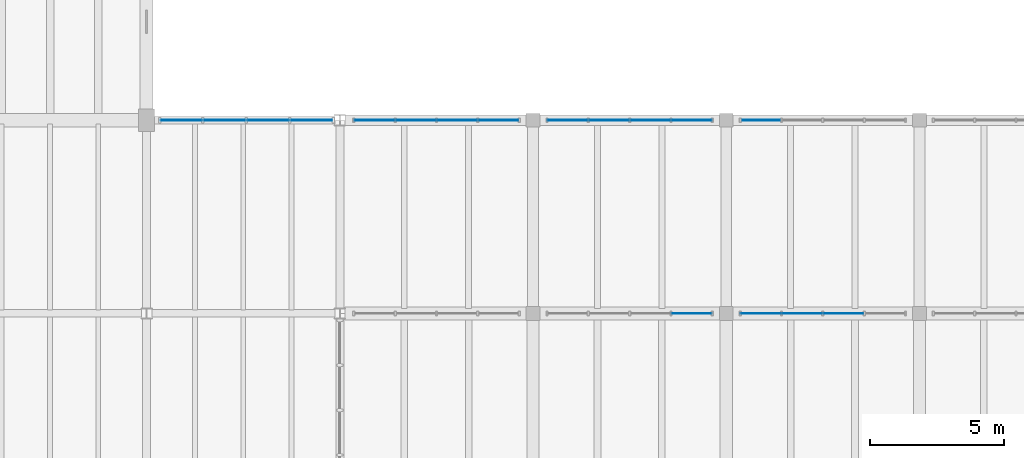
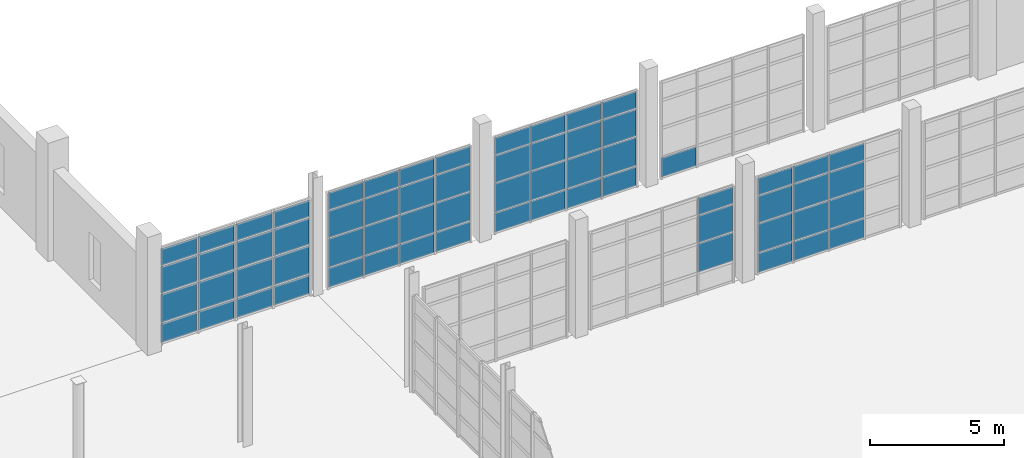
# One storey, part 57 of 79: 64 plates, 6 elements without a shape of their own.
"""IFC4 building model written with IfcOpenShell, lengths in metres."""

import ifcopenshell
import ifcopenshell.guid

model = None  # the IFC model being written
_history = None  # IfcOwnerHistory: only IFC2X3 demands one
_inside = {}  # id of a spatial element -> (the spatial element, [elements in it])
_under = {}  # id of a project, library or spatial element -> (it, [spatial elements below it])
_declared = {}  # id of a project -> (the project, [libraries it declares])
_typed = {}  # id of a type object -> (the type object, [elements of that type])
_made_of = {}  # id of a material, layer set ... -> (it, [elements and type objects made of it])


def new_model(schema):
    """Start an empty IFC model of exactly this schema.

    Asked for "IFC4X3", IfcOpenShell would pick the latest addendum, in which some entities
    have other attributes; the version numbers below select the first issue.
    IFC2X3 requires an IfcOwnerHistory on every rooted entity: one is made here for all.
    """
    global model, _history
    if schema == "IFC4X3":
        model = ifcopenshell.file(schema_version=(4, 3, 0, 0))
    else:
        model = ifcopenshell.file(schema=schema)
    _inside.clear()
    _under.clear()
    _declared.clear()
    _typed.clear()
    _made_of.clear()
    _history = None
    if model.schema == "IFC2X3":
        org = make("IfcOrganization", Name="unknown")
        user = make(
            "IfcPersonAndOrganization",
            ThePerson=make("IfcPerson", FamilyName="unknown"),
            TheOrganization=org,
        )
        app = make(
            "IfcApplication",
            ApplicationDeveloper=org,
            Version="unknown",
            ApplicationFullName="unknown",
            ApplicationIdentifier="unknown",
        )
        _history = make(
            "IfcOwnerHistory",
            OwningUser=user,
            OwningApplication=app,
            ChangeAction="ADDED",
            CreationDate=0,
        )
    return model


def make(cls, **values):
    """One entity of the class cls with the attributes given. An attribute that is None is left unset."""
    return model.create_entity(
        cls, **{name: value for name, value in values.items() if value is not None}
    )


def rooted(cls, **values):
    """An entity with a GlobalId (a new one), such as an element, a storey or a relation."""
    return make(cls, GlobalId=ifcopenshell.guid.new(), OwnerHistory=_history, **values)


def si_unit(unit_type, name, prefix=None):
    """IfcSIUnit, for example si_unit("LENGTHUNIT", "METRE", prefix="MILLI")."""
    return make("IfcSIUnit", UnitType=unit_type, Prefix=prefix, Name=name)


def assignment(units):
    """IfcUnitAssignment: the units of a project."""
    return None if units is None else make("IfcUnitAssignment", Units=units)


def point(xyz):
    """IfcCartesianPoint."""
    return None if xyz is None else make("IfcCartesianPoint", Coordinates=xyz)


def direction(xyz):
    """IfcDirection."""
    return None if xyz is None else make("IfcDirection", DirectionRatios=xyz)


def frame(location, z_axis=None, x_axis=None):
    """IfcAxis2Placement3D, a coordinate frame: its origin and axes. An axis left out is left unset."""
    return make(
        "IfcAxis2Placement3D",
        Location=point(location),
        Axis=direction(z_axis),
        RefDirection=direction(x_axis),
    )


def frame_2d(location, x_axis=None):
    """IfcAxis2Placement2D, a coordinate frame in the plane: its origin and x axis."""
    return make(
        "IfcAxis2Placement2D", Location=point(location), RefDirection=direction(x_axis)
    )


def origin():
    """The frame at (0, 0, 0) with its axes left unset."""
    return frame((0.0, 0.0, 0.0))


def place(relative_to, where):
    """IfcLocalPlacement: puts the frame where relative to a parent placement (None: the world)."""
    return make(
        "IfcLocalPlacement", PlacementRelTo=relative_to, RelativePlacement=where
    )


def context(
    kind, dimensions, precision=None, world=None, true_north=None, identifier=None
):
    """IfcGeometricRepresentationContext, for example the 3D "Model" context."""
    return make(
        "IfcGeometricRepresentationContext",
        ContextIdentifier=identifier,
        ContextType=kind,
        CoordinateSpaceDimension=dimensions,
        Precision=precision,
        WorldCoordinateSystem=world,
        TrueNorth=true_north,
    )


def subcontext(parent, identifier, kind, view, scale=None):
    """IfcGeometricRepresentationSubContext, for example "Body" below "Model"."""
    return make(
        "IfcGeometricRepresentationSubContext",
        ContextIdentifier=identifier,
        ContextType=kind,
        ParentContext=parent,
        TargetScale=scale,
        TargetView=view,
    )


def project(units=None, contexts=None):
    """IfcProject with its units and contexts."""
    return rooted(
        "IfcProject",
        Name="project",
        RepresentationContexts=contexts,
        UnitsInContext=assignment(units),
    )


def spatial(cls, under=None, at=None, **own):
    """A site, building, storey or space (cls), placed at a placement, below another one or the project."""
    s = rooted(cls, ObjectPlacement=at, **own)
    if under is not None:
        _under.setdefault(under.id(), (under, []))[1].append(s)
    return s


def profile(cls, at=None, kind="AREA", **sizes):
    """A parametric profile (cls). Its sizes go by their IFC names, for example OverallWidth=200.0."""
    return make(cls, ProfileType=kind, Position=at, **sizes)


def rectangle(**sizes):
    """IfcRectangleProfileDef."""
    return profile("IfcRectangleProfileDef", **sizes)


def extrude(swept, where, along, depth):
    """IfcExtrudedAreaSolid: the profile swept, set in the frame where, extruded along a direction by depth."""
    return make(
        "IfcExtrudedAreaSolid",
        SweptArea=swept,
        Position=where,
        ExtrudedDirection=direction(along),
        Depth=depth,
    )


def shape(context_of_items, identifier, shape_type, items):
    """IfcShapeRepresentation: the items that make up one representation, for example the "Body"."""
    return make(
        "IfcShapeRepresentation",
        ContextOfItems=context_of_items,
        RepresentationIdentifier=identifier,
        RepresentationType=shape_type,
        Items=items,
    )


def material(Name=None, Category=None):
    """IfcMaterial."""
    return make("IfcMaterial", Name=Name, Category=Category)


def layer(
    of_material, thickness, ventilated=None, Name=None, Category=None, Priority=None
):
    """IfcMaterialLayer: one layer of a wall or slab, of a material (None: an air gap)."""
    return make(
        "IfcMaterialLayer",
        Material=of_material,
        LayerThickness=thickness,
        IsVentilated=ventilated,
        Name=Name,
        Category=Category,
        Priority=Priority,
    )


def layer_set(layers, Name=None):
    """IfcMaterialLayerSet."""
    return make("IfcMaterialLayerSet", MaterialLayers=layers, LayerSetName=Name)


def made_of(thing, what):
    """Note that an element or type object is made of a material, layer set ...; save() writes the relation."""
    if what is not None:
        _made_of.setdefault(what.id(), (what, []))[1].append(thing)
    return thing


def type_object(cls, material=None, **own):
    """A type object (cls), such as IfcWallType, which elements share."""
    return made_of(rooted(cls, **own), material)


def element(
    cls,
    number,
    at=None,
    inside=None,
    cuts=None,
    type_object=None,
    material=None,
    context=None,
    identifier="Body",
    shape_type=None,
    held_by="IfcProductDefinitionShape",
    body=None,
    shapes=None,
    **own,
):
    """One element of the class cls, such as IfcWall. Its Tag is "e" and its number.

    at: its placement. inside: the storey or other place that contains it. cuts: it is an
    opening in that element (IfcRelVoidsElement). A single representation is given by context,
    identifier, shape_type and body (its items); several are given by shapes. held_by: the class
    of the entity that holds the representations. save() writes the other relations.
    """
    e = rooted(cls, Tag="e%d" % number, ObjectPlacement=at, **own)
    if body is not None:
        shapes = [shape(context, identifier, shape_type, body)]
    if shapes is not None:
        e.Representation = make(held_by, Representations=shapes)
    if inside is not None:
        _inside.setdefault(inside.id(), (inside, []))[1].append(e)
    if cuts is not None:
        rooted(
            "IfcRelVoidsElement", RelatingBuildingElement=cuts, RelatedOpeningElement=e
        )
    if type_object is not None:
        _typed.setdefault(type_object.id(), (type_object, []))[1].append(e)
    return made_of(e, material)


def aggregate(whole, parts):
    """IfcRelAggregates: a whole, such as a stair, and the parts it consists of."""
    return rooted("IfcRelAggregates", RelatingObject=whole, RelatedObjects=parts)


def save(model, path):
    """Write the relations noted so far, then the file.

    IfcRelAggregates (storeys below a building ...), IfcRelContainedInSpatialStructure (elements
    in a storey), IfcRelDefinesByType, IfcRelAssociatesMaterial and IfcRelDeclares: one each for
    every whole, place, type object, material and project.
    """
    for whole, parts in _under.values():
        aggregate(whole, parts)
    for where, things in _inside.values():
        rooted(
            "IfcRelContainedInSpatialStructure",
            RelatedElements=things,
            RelatingStructure=where,
        )
    for kind, things in _typed.values():
        rooted("IfcRelDefinesByType", RelatedObjects=things, RelatingType=kind)
    for what, things in _made_of.values():
        rooted("IfcRelAssociatesMaterial", RelatedObjects=things, RelatingMaterial=what)
    for by, libraries in _declared.values():
        rooted("IfcRelDeclares", RelatingContext=by, RelatedDefinitions=libraries)
    model.write(path)


model = new_model("IFC4")

# Units and contexts
model_context = context("Model", 3, precision=1e-05, world=origin(), true_north=direction((0.0, 1.0)))
body_context = subcontext(model_context, "Body", "Model", "MODEL_VIEW")
ifc_project = project(units=[si_unit("LENGTHUNIT", "METRE"), si_unit("AREAUNIT", "SQUARE_METRE"), si_unit("VOLUMEUNIT", "CUBIC_METRE"), si_unit("PLANEANGLEUNIT", "RADIAN"), si_unit("MASSUNIT", "GRAM", prefix="KILO")], contexts=[model_context])

# Site, building, storey
site_placement = place(None, origin())
site = spatial("IfcSite", under=ifc_project, at=site_placement, CompositionType="ELEMENT")
building_placement = place(site_placement, origin())
building = spatial("IfcBuilding", under=site, at=building_placement, Name="Qiaolan Assembly House", CompositionType="ELEMENT")
storey_placement = place(building_placement, origin())
storey = spatial("IfcBuildingStorey", under=building, at=storey_placement, Name="L00", CompositionType="ELEMENT", Elevation=0.0)

# Curtain wall, plates
ifc_material_1 = material(Name="Anodised bronze aluminium", Category="aluminium")
curtain_wall_type_1 = type_object("IfcCurtainWallType", Name="CW-CLOISTER-420", PredefinedType="NOTDEFINED", material=ifc_material_1)
curtain_wall_1_placement = place(storey_placement, origin())
curtain_wall_1 = element("IfcCurtainWall", 1, at=curtain_wall_1_placement, inside=storey, type_object=curtain_wall_type_1, Name="CW-05 North Cloister outer arcade L00-1", PredefinedType="NOTDEFINED")
ifc_material_2 = material(Name="Low-E double insulating glass", Category="glass")
ifc_layer_1 = layer(ifc_material_2, 0.02587890625)
ifc_layer_set_1 = layer_set([ifc_layer_1], Name="Low-E double insulating glass")
plate_type_1 = type_object("IfcPlateType", Name="CW-CLOISTER-420-PNL", PredefinedType="CURTAIN_PANEL", material=ifc_layer_set_1)
plate_1_placement = place(storey_placement, frame((114.653076171875, 86.39990234375, 0.052978515625), z_axis=(0.0, 0.0, 1.0), x_axis=(-1.0, 0.0, 0.0)))
plate_1 = element("IfcPlate", 2, at=plate_1_placement, type_object=plate_type_1, Name="GL-06 glazing panel CW-CLN-OUT-L00-0-1", PredefinedType="CURTAIN_PANEL", context=body_context, shape_type="SweptSolid", body=[
    extrude(rectangle(XDim=1.486083984375, YDim=0.02587890625, at=frame_2d((0.7431640625, 0.0))), origin(), (0.0, 0.0, 1.0), 0.8740234375),
])
plate_2_placement = place(storey_placement, frame((114.653076171875, 86.39990234375, 0.972900390625), z_axis=(0.0, 0.0, 1.0), x_axis=(-1.0, 0.0, 0.0)))
plate_2 = element("IfcPlate", 3, at=plate_2_placement, type_object=plate_type_1, Name="GL-06 glazing panel CW-CLN-OUT-L00-0-2", PredefinedType="CURTAIN_PANEL", context=body_context, shape_type="SweptSolid", body=[
    extrude(rectangle(XDim=1.486083984375, YDim=0.02587890625, at=frame_2d((0.7431640625, 0.0))), origin(), (0.0, 0.0, 1.0), 1.302490234375),
])
plate_3_placement = place(storey_placement, frame((114.653076171875, 86.39990234375, 2.3212890625), z_axis=(0.0, 0.0, 1.0), x_axis=(-1.0, 0.0, 0.0)))
plate_3 = element("IfcPlate", 4, at=plate_3_placement, type_object=plate_type_1, Name="GL-06 glazing panel CW-CLN-OUT-L00-0-3", PredefinedType="CURTAIN_PANEL", context=body_context, shape_type="SweptSolid", body=[
    extrude(rectangle(XDim=1.486083984375, YDim=0.02587890625, at=frame_2d((0.7431640625, 0.0))), origin(), (0.0, 0.0, 1.0), 1.225830078125),
])
plate_4_placement = place(storey_placement, frame((114.653076171875, 86.39990234375, 3.593017578125), z_axis=(0.0, 0.0, 1.0), x_axis=(-1.0, 0.0, 0.0)))
plate_4 = element("IfcPlate", 5, at=plate_4_placement, type_object=plate_type_1, Name="GL-06 glazing panel CW-CLN-OUT-L00-0-4", PredefinedType="CURTAIN_PANEL", context=body_context, shape_type="SweptSolid", body=[
    extrude(rectangle(XDim=1.486083984375, YDim=0.02587890625, at=frame_2d((0.7431640625, 0.0))), origin(), (0.0, 0.0, 1.0), 0.77392578125),
])
plate_5_placement = place(storey_placement, frame((113.113037109375, 86.39990234375, 0.052978515625), z_axis=(0.0, 0.0, 1.0), x_axis=(-1.0, 0.0, 0.0)))
plate_5 = element("IfcPlate", 6, at=plate_5_placement, type_object=plate_type_1, Name="GL-06 glazing panel CW-CLN-OUT-L00-0-5", PredefinedType="CURTAIN_PANEL", context=body_context, shape_type="SweptSolid", body=[
    extrude(rectangle(XDim=1.486083984375, YDim=0.02587890625, at=frame_2d((0.7431640625, 0.0))), origin(), (0.0, 0.0, 1.0), 0.8740234375),
])
plate_6_placement = place(storey_placement, frame((113.113037109375, 86.39990234375, 0.972900390625), z_axis=(0.0, 0.0, 1.0), x_axis=(-1.0, 0.0, 0.0)))
plate_6 = element("IfcPlate", 7, at=plate_6_placement, type_object=plate_type_1, Name="GL-06 glazing panel CW-CLN-OUT-L00-0-6", PredefinedType="CURTAIN_PANEL", context=body_context, shape_type="SweptSolid", body=[
    extrude(rectangle(XDim=1.486083984375, YDim=0.02587890625, at=frame_2d((0.7431640625, 0.0))), origin(), (0.0, 0.0, 1.0), 1.302490234375),
])
plate_7_placement = place(storey_placement, frame((113.113037109375, 86.39990234375, 2.3212890625), z_axis=(0.0, 0.0, 1.0), x_axis=(-1.0, 0.0, 0.0)))
plate_7 = element("IfcPlate", 8, at=plate_7_placement, type_object=plate_type_1, Name="GL-06 glazing panel CW-CLN-OUT-L00-0-7", PredefinedType="CURTAIN_PANEL", context=body_context, shape_type="SweptSolid", body=[
    extrude(rectangle(XDim=1.486083984375, YDim=0.02587890625, at=frame_2d((0.7431640625, 0.0))), origin(), (0.0, 0.0, 1.0), 1.225830078125),
])
plate_8_placement = place(storey_placement, frame((113.113037109375, 86.39990234375, 3.593017578125), z_axis=(0.0, 0.0, 1.0), x_axis=(-1.0, 0.0, 0.0)))
plate_8 = element("IfcPlate", 9, at=plate_8_placement, type_object=plate_type_1, Name="GL-06 glazing panel CW-CLN-OUT-L00-0-8", PredefinedType="CURTAIN_PANEL", context=body_context, shape_type="SweptSolid", body=[
    extrude(rectangle(XDim=1.486083984375, YDim=0.02587890625, at=frame_2d((0.7431640625, 0.0))), origin(), (0.0, 0.0, 1.0), 0.77392578125),
])
plate_9_placement = place(storey_placement, frame((111.572998046875, 86.39990234375, 0.052978515625), z_axis=(0.0, 0.0, 1.0), x_axis=(-1.0, 0.0, 0.0)))
plate_9 = element("IfcPlate", 10, at=plate_9_placement, type_object=plate_type_1, Name="GL-06 glazing panel CW-CLN-OUT-L00-0-9", PredefinedType="CURTAIN_PANEL", context=body_context, shape_type="SweptSolid", body=[
    extrude(rectangle(XDim=1.486083984375, YDim=0.02587890625, at=frame_2d((0.7431640625, 0.0))), origin(), (0.0, 0.0, 1.0), 0.8740234375),
])
plate_10_placement = place(storey_placement, frame((111.572998046875, 86.39990234375, 0.972900390625), z_axis=(0.0, 0.0, 1.0), x_axis=(-1.0, 0.0, 0.0)))
plate_10 = element("IfcPlate", 11, at=plate_10_placement, type_object=plate_type_1, Name="GL-06 glazing panel CW-CLN-OUT-L00-0-10", PredefinedType="CURTAIN_PANEL", context=body_context, shape_type="SweptSolid", body=[
    extrude(rectangle(XDim=1.486083984375, YDim=0.02587890625, at=frame_2d((0.7431640625, 0.0))), origin(), (0.0, 0.0, 1.0), 1.302490234375),
])
plate_11_placement = place(storey_placement, frame((111.572998046875, 86.39990234375, 2.3212890625), z_axis=(0.0, 0.0, 1.0), x_axis=(-1.0, 0.0, 0.0)))
plate_11 = element("IfcPlate", 12, at=plate_11_placement, type_object=plate_type_1, Name="GL-06 glazing panel CW-CLN-OUT-L00-0-11", PredefinedType="CURTAIN_PANEL", context=body_context, shape_type="SweptSolid", body=[
    extrude(rectangle(XDim=1.486083984375, YDim=0.02587890625, at=frame_2d((0.7431640625, 0.0))), origin(), (0.0, 0.0, 1.0), 1.225830078125),
])
plate_12_placement = place(storey_placement, frame((111.572998046875, 86.39990234375, 3.593017578125), z_axis=(0.0, 0.0, 1.0), x_axis=(-1.0, 0.0, 0.0)))
plate_12 = element("IfcPlate", 13, at=plate_12_placement, type_object=plate_type_1, Name="GL-06 glazing panel CW-CLN-OUT-L00-0-12", PredefinedType="CURTAIN_PANEL", context=body_context, shape_type="SweptSolid", body=[
    extrude(rectangle(XDim=1.486083984375, YDim=0.02587890625, at=frame_2d((0.7431640625, 0.0))), origin(), (0.0, 0.0, 1.0), 0.77392578125),
])
plate_13_placement = place(storey_placement, frame((110.032958984375, 86.39990234375, 0.052978515625), z_axis=(0.0, 0.0, 1.0), x_axis=(-1.0, 0.0, 0.0)))
plate_13 = element("IfcPlate", 14, at=plate_13_placement, type_object=plate_type_1, Name="GL-06 glazing panel CW-CLN-OUT-L00-0-13", PredefinedType="CURTAIN_PANEL", context=body_context, shape_type="SweptSolid", body=[
    extrude(rectangle(XDim=1.48583984375, YDim=0.02587890625, at=frame_2d((0.742919921875, 0.0))), origin(), (0.0, 0.0, 1.0), 0.8740234375),
])
plate_14_placement = place(storey_placement, frame((110.032958984375, 86.39990234375, 0.972900390625), z_axis=(0.0, 0.0, 1.0), x_axis=(-1.0, 0.0, 0.0)))
plate_14 = element("IfcPlate", 15, at=plate_14_placement, type_object=plate_type_1, Name="GL-06 glazing panel CW-CLN-OUT-L00-0-14", PredefinedType="CURTAIN_PANEL", context=body_context, shape_type="SweptSolid", body=[
    extrude(rectangle(XDim=1.48583984375, YDim=0.02587890625, at=frame_2d((0.742919921875, 0.0))), origin(), (0.0, 0.0, 1.0), 1.302490234375),
])
plate_15_placement = place(storey_placement, frame((110.032958984375, 86.39990234375, 2.3212890625), z_axis=(0.0, 0.0, 1.0), x_axis=(-1.0, 0.0, 0.0)))
plate_15 = element("IfcPlate", 16, at=plate_15_placement, type_object=plate_type_1, Name="GL-06 glazing panel CW-CLN-OUT-L00-0-15", PredefinedType="CURTAIN_PANEL", context=body_context, shape_type="SweptSolid", body=[
    extrude(rectangle(XDim=1.48583984375, YDim=0.02587890625, at=frame_2d((0.742919921875, 0.0))), origin(), (0.0, 0.0, 1.0), 1.225830078125),
])
plate_16_placement = place(storey_placement, frame((110.032958984375, 86.39990234375, 3.593017578125), z_axis=(0.0, 0.0, 1.0), x_axis=(-1.0, 0.0, 0.0)))
plate_16 = element("IfcPlate", 17, at=plate_16_placement, type_object=plate_type_1, Name="GL-06 glazing panel CW-CLN-OUT-L00-0-16", PredefinedType="CURTAIN_PANEL", context=body_context, shape_type="SweptSolid", body=[
    extrude(rectangle(XDim=1.48583984375, YDim=0.02587890625, at=frame_2d((0.742919921875, 0.0))), origin(), (0.0, 0.0, 1.0), 0.77392578125),
])
aggregate(curtain_wall_1, [plate_1, plate_2, plate_3, plate_4, plate_5, plate_6, plate_7, plate_8, plate_9, plate_10, plate_11, plate_12, plate_13, plate_14, plate_15, plate_16])

curtain_wall_2_placement = place(storey_placement, origin())
curtain_wall_2 = element("IfcCurtainWall", 18, at=curtain_wall_2_placement, inside=storey, type_object=curtain_wall_type_1, Name="CW-05 North Cloister court arcade L00-2", PredefinedType="NOTDEFINED")
plate_17_placement = place(storey_placement, frame((120.366943359375, 79.199951171875, 0.972900390625), z_axis=(0.0, 0.0, 1.0), x_axis=(1.0, 0.0, 0.0)))
plate_17 = element("IfcPlate", 19, at=plate_17_placement, type_object=plate_type_1, Name="GL-06 glazing panel CW-CLN-CRT-L00-1-14", PredefinedType="CURTAIN_PANEL", context=body_context, shape_type="SweptSolid", body=[
    extrude(rectangle(XDim=1.486083984375, YDim=0.02587890625, at=frame_2d((0.7431640625, 0.0))), origin(), (0.0, 0.0, 1.0), 1.302490234375),
])
plate_18_placement = place(storey_placement, frame((120.366943359375, 79.199951171875, 2.3212890625), z_axis=(0.0, 0.0, 1.0), x_axis=(1.0, 0.0, 0.0)))
plate_18 = element("IfcPlate", 20, at=plate_18_placement, type_object=plate_type_1, Name="GL-06 glazing panel CW-CLN-CRT-L00-1-15", PredefinedType="CURTAIN_PANEL", context=body_context, shape_type="SweptSolid", body=[
    extrude(rectangle(XDim=1.486083984375, YDim=0.02587890625, at=frame_2d((0.7431640625, 0.0))), origin(), (0.0, 0.0, 1.0), 1.225830078125),
])
plate_19_placement = place(storey_placement, frame((120.366943359375, 79.199951171875, 3.593017578125), z_axis=(0.0, 0.0, 1.0), x_axis=(1.0, 0.0, 0.0)))
plate_19 = element("IfcPlate", 21, at=plate_19_placement, type_object=plate_type_1, Name="GL-06 glazing panel CW-CLN-CRT-L00-1-16", PredefinedType="CURTAIN_PANEL", context=body_context, shape_type="SweptSolid", body=[
    extrude(rectangle(XDim=1.486083984375, YDim=0.02587890625, at=frame_2d((0.7431640625, 0.0))), origin(), (0.0, 0.0, 1.0), 0.77392578125),
])
aggregate(curtain_wall_2, [plate_17, plate_18, plate_19])

curtain_wall_3_placement = place(storey_placement, origin())
curtain_wall_3 = element("IfcCurtainWall", 22, at=curtain_wall_3_placement, inside=storey, type_object=curtain_wall_type_1, Name="CW-05 North Cloister outer arcade L00-2", PredefinedType="NOTDEFINED")
plate_20_placement = place(storey_placement, frame((121.85302734375, 86.39990234375, 0.052978515625), z_axis=(0.0, 0.0, 1.0), x_axis=(-1.0, 0.0, 0.0)))
plate_20 = element("IfcPlate", 23, at=plate_20_placement, type_object=plate_type_1, Name="GL-06 glazing panel CW-CLN-OUT-L00-1-1", PredefinedType="CURTAIN_PANEL", context=body_context, shape_type="SweptSolid", body=[
    extrude(rectangle(XDim=1.486083984375, YDim=0.02587890625, at=frame_2d((0.7431640625, 0.0))), origin(), (0.0, 0.0, 1.0), 0.8740234375),
])
plate_21_placement = place(storey_placement, frame((121.85302734375, 86.39990234375, 0.972900390625), z_axis=(0.0, 0.0, 1.0), x_axis=(-1.0, 0.0, 0.0)))
plate_21 = element("IfcPlate", 24, at=plate_21_placement, type_object=plate_type_1, Name="GL-06 glazing panel CW-CLN-OUT-L00-1-2", PredefinedType="CURTAIN_PANEL", context=body_context, shape_type="SweptSolid", body=[
    extrude(rectangle(XDim=1.486083984375, YDim=0.02587890625, at=frame_2d((0.7431640625, 0.0))), origin(), (0.0, 0.0, 1.0), 1.302490234375),
])
plate_22_placement = place(storey_placement, frame((121.85302734375, 86.39990234375, 2.3212890625), z_axis=(0.0, 0.0, 1.0), x_axis=(-1.0, 0.0, 0.0)))
plate_22 = element("IfcPlate", 25, at=plate_22_placement, type_object=plate_type_1, Name="GL-06 glazing panel CW-CLN-OUT-L00-1-3", PredefinedType="CURTAIN_PANEL", context=body_context, shape_type="SweptSolid", body=[
    extrude(rectangle(XDim=1.486083984375, YDim=0.02587890625, at=frame_2d((0.7431640625, 0.0))), origin(), (0.0, 0.0, 1.0), 1.225830078125),
])
plate_23_placement = place(storey_placement, frame((121.85302734375, 86.39990234375, 3.593017578125), z_axis=(0.0, 0.0, 1.0), x_axis=(-1.0, 0.0, 0.0)))
plate_23 = element("IfcPlate", 26, at=plate_23_placement, type_object=plate_type_1, Name="GL-06 glazing panel CW-CLN-OUT-L00-1-4", PredefinedType="CURTAIN_PANEL", context=body_context, shape_type="SweptSolid", body=[
    extrude(rectangle(XDim=1.486083984375, YDim=0.02587890625, at=frame_2d((0.7431640625, 0.0))), origin(), (0.0, 0.0, 1.0), 0.77392578125),
])
plate_24_placement = place(storey_placement, frame((120.31298828125, 86.39990234375, 0.052978515625), z_axis=(0.0, 0.0, 1.0), x_axis=(-1.0, 0.0, 0.0)))
plate_24 = element("IfcPlate", 27, at=plate_24_placement, type_object=plate_type_1, Name="GL-06 glazing panel CW-CLN-OUT-L00-1-5", PredefinedType="CURTAIN_PANEL", context=body_context, shape_type="SweptSolid", body=[
    extrude(rectangle(XDim=1.486083984375, YDim=0.02587890625, at=frame_2d((0.7431640625, 0.0))), origin(), (0.0, 0.0, 1.0), 0.8740234375),
])
plate_25_placement = place(storey_placement, frame((120.31298828125, 86.39990234375, 0.972900390625), z_axis=(0.0, 0.0, 1.0), x_axis=(-1.0, 0.0, 0.0)))
plate_25 = element("IfcPlate", 28, at=plate_25_placement, type_object=plate_type_1, Name="GL-06 glazing panel CW-CLN-OUT-L00-1-6", PredefinedType="CURTAIN_PANEL", context=body_context, shape_type="SweptSolid", body=[
    extrude(rectangle(XDim=1.486083984375, YDim=0.02587890625, at=frame_2d((0.7431640625, 0.0))), origin(), (0.0, 0.0, 1.0), 1.302490234375),
])
plate_26_placement = place(storey_placement, frame((120.31298828125, 86.39990234375, 2.3212890625), z_axis=(0.0, 0.0, 1.0), x_axis=(-1.0, 0.0, 0.0)))
plate_26 = element("IfcPlate", 29, at=plate_26_placement, type_object=plate_type_1, Name="GL-06 glazing panel CW-CLN-OUT-L00-1-7", PredefinedType="CURTAIN_PANEL", context=body_context, shape_type="SweptSolid", body=[
    extrude(rectangle(XDim=1.486083984375, YDim=0.02587890625, at=frame_2d((0.7431640625, 0.0))), origin(), (0.0, 0.0, 1.0), 1.225830078125),
])
plate_27_placement = place(storey_placement, frame((120.31298828125, 86.39990234375, 3.593017578125), z_axis=(0.0, 0.0, 1.0), x_axis=(-1.0, 0.0, 0.0)))
plate_27 = element("IfcPlate", 30, at=plate_27_placement, type_object=plate_type_1, Name="GL-06 glazing panel CW-CLN-OUT-L00-1-8", PredefinedType="CURTAIN_PANEL", context=body_context, shape_type="SweptSolid", body=[
    extrude(rectangle(XDim=1.486083984375, YDim=0.02587890625, at=frame_2d((0.7431640625, 0.0))), origin(), (0.0, 0.0, 1.0), 0.77392578125),
])
plate_28_placement = place(storey_placement, frame((118.77294921875, 86.39990234375, 0.052978515625), z_axis=(0.0, 0.0, 1.0), x_axis=(-1.0, 0.0, 0.0)))
plate_28 = element("IfcPlate", 31, at=plate_28_placement, type_object=plate_type_1, Name="GL-06 glazing panel CW-CLN-OUT-L00-1-9", PredefinedType="CURTAIN_PANEL", context=body_context, shape_type="SweptSolid", body=[
    extrude(rectangle(XDim=1.48583984375, YDim=0.02587890625, at=frame_2d((0.742919921875, 0.0))), origin(), (0.0, 0.0, 1.0), 0.8740234375),
])
plate_29_placement = place(storey_placement, frame((118.77294921875, 86.39990234375, 0.972900390625), z_axis=(0.0, 0.0, 1.0), x_axis=(-1.0, 0.0, 0.0)))
plate_29 = element("IfcPlate", 32, at=plate_29_placement, type_object=plate_type_1, Name="GL-06 glazing panel CW-CLN-OUT-L00-1-10", PredefinedType="CURTAIN_PANEL", context=body_context, shape_type="SweptSolid", body=[
    extrude(rectangle(XDim=1.48583984375, YDim=0.02587890625, at=frame_2d((0.742919921875, 0.0))), origin(), (0.0, 0.0, 1.0), 1.302490234375),
])
plate_30_placement = place(storey_placement, frame((118.77294921875, 86.39990234375, 2.3212890625), z_axis=(0.0, 0.0, 1.0), x_axis=(-1.0, 0.0, 0.0)))
plate_30 = element("IfcPlate", 33, at=plate_30_placement, type_object=plate_type_1, Name="GL-06 glazing panel CW-CLN-OUT-L00-1-11", PredefinedType="CURTAIN_PANEL", context=body_context, shape_type="SweptSolid", body=[
    extrude(rectangle(XDim=1.48583984375, YDim=0.02587890625, at=frame_2d((0.742919921875, 0.0))), origin(), (0.0, 0.0, 1.0), 1.225830078125),
])
plate_31_placement = place(storey_placement, frame((118.77294921875, 86.39990234375, 3.593017578125), z_axis=(0.0, 0.0, 1.0), x_axis=(-1.0, 0.0, 0.0)))
plate_31 = element("IfcPlate", 34, at=plate_31_placement, type_object=plate_type_1, Name="GL-06 glazing panel CW-CLN-OUT-L00-1-12", PredefinedType="CURTAIN_PANEL", context=body_context, shape_type="SweptSolid", body=[
    extrude(rectangle(XDim=1.48583984375, YDim=0.02587890625, at=frame_2d((0.742919921875, 0.0))), origin(), (0.0, 0.0, 1.0), 0.77392578125),
])
plate_32_placement = place(storey_placement, frame((117.23291015625, 86.39990234375, 0.052978515625), z_axis=(0.0, 0.0, 1.0), x_axis=(-1.0, 0.0, 0.0)))
plate_32 = element("IfcPlate", 35, at=plate_32_placement, type_object=plate_type_1, Name="GL-06 glazing panel CW-CLN-OUT-L00-1-13", PredefinedType="CURTAIN_PANEL", context=body_context, shape_type="SweptSolid", body=[
    extrude(rectangle(XDim=1.48583984375, YDim=0.02587890625, at=frame_2d((0.742919921875, 0.0))), origin(), (0.0, 0.0, 1.0), 0.8740234375),
])
plate_33_placement = place(storey_placement, frame((117.23291015625, 86.39990234375, 0.972900390625), z_axis=(0.0, 0.0, 1.0), x_axis=(-1.0, 0.0, 0.0)))
plate_33 = element("IfcPlate", 36, at=plate_33_placement, type_object=plate_type_1, Name="GL-06 glazing panel CW-CLN-OUT-L00-1-14", PredefinedType="CURTAIN_PANEL", context=body_context, shape_type="SweptSolid", body=[
    extrude(rectangle(XDim=1.48583984375, YDim=0.02587890625, at=frame_2d((0.742919921875, 0.0))), origin(), (0.0, 0.0, 1.0), 1.302490234375),
])
plate_34_placement = place(storey_placement, frame((117.23291015625, 86.39990234375, 2.3212890625), z_axis=(0.0, 0.0, 1.0), x_axis=(-1.0, 0.0, 0.0)))
plate_34 = element("IfcPlate", 37, at=plate_34_placement, type_object=plate_type_1, Name="GL-06 glazing panel CW-CLN-OUT-L00-1-15", PredefinedType="CURTAIN_PANEL", context=body_context, shape_type="SweptSolid", body=[
    extrude(rectangle(XDim=1.48583984375, YDim=0.02587890625, at=frame_2d((0.742919921875, 0.0))), origin(), (0.0, 0.0, 1.0), 1.225830078125),
])
plate_35_placement = place(storey_placement, frame((117.23291015625, 86.39990234375, 3.593017578125), z_axis=(0.0, 0.0, 1.0), x_axis=(-1.0, 0.0, 0.0)))
plate_35 = element("IfcPlate", 38, at=plate_35_placement, type_object=plate_type_1, Name="GL-06 glazing panel CW-CLN-OUT-L00-1-16", PredefinedType="CURTAIN_PANEL", context=body_context, shape_type="SweptSolid", body=[
    extrude(rectangle(XDim=1.48583984375, YDim=0.02587890625, at=frame_2d((0.742919921875, 0.0))), origin(), (0.0, 0.0, 1.0), 0.77392578125),
])
aggregate(curtain_wall_3, [plate_20, plate_21, plate_22, plate_23, plate_24, plate_25, plate_26, plate_27, plate_28, plate_29, plate_30, plate_31, plate_32, plate_33, plate_34, plate_35])

curtain_wall_4_placement = place(storey_placement, origin())
curtain_wall_4 = element("IfcCurtainWall", 39, at=curtain_wall_4_placement, inside=storey, type_object=curtain_wall_type_1, Name="CW-05 North Cloister court arcade L00-3", PredefinedType="NOTDEFINED")
plate_36_placement = place(storey_placement, frame((122.947021484375, 79.199951171875, 0.052978515625), z_axis=(0.0, 0.0, 1.0), x_axis=(1.0, 0.0, 0.0)))
plate_36 = element("IfcPlate", 40, at=plate_36_placement, type_object=plate_type_1, Name="GL-06 glazing panel CW-CLN-CRT-L00-2-1", PredefinedType="CURTAIN_PANEL", context=body_context, shape_type="SweptSolid", body=[
    extrude(rectangle(XDim=1.486083984375, YDim=0.02587890625, at=frame_2d((0.7431640625, 0.0))), origin(), (0.0, 0.0, 1.0), 0.8740234375),
])
plate_37_placement = place(storey_placement, frame((122.947021484375, 79.199951171875, 0.972900390625), z_axis=(0.0, 0.0, 1.0), x_axis=(1.0, 0.0, 0.0)))
plate_37 = element("IfcPlate", 41, at=plate_37_placement, type_object=plate_type_1, Name="GL-06 glazing panel CW-CLN-CRT-L00-2-2", PredefinedType="CURTAIN_PANEL", context=body_context, shape_type="SweptSolid", body=[
    extrude(rectangle(XDim=1.486083984375, YDim=0.02587890625, at=frame_2d((0.7431640625, 0.0))), origin(), (0.0, 0.0, 1.0), 1.302490234375),
])
plate_38_placement = place(storey_placement, frame((122.947021484375, 79.199951171875, 2.3212890625), z_axis=(0.0, 0.0, 1.0), x_axis=(1.0, 0.0, 0.0)))
plate_38 = element("IfcPlate", 42, at=plate_38_placement, type_object=plate_type_1, Name="GL-06 glazing panel CW-CLN-CRT-L00-2-3", PredefinedType="CURTAIN_PANEL", context=body_context, shape_type="SweptSolid", body=[
    extrude(rectangle(XDim=1.486083984375, YDim=0.02587890625, at=frame_2d((0.7431640625, 0.0))), origin(), (0.0, 0.0, 1.0), 1.225830078125),
])
plate_39_placement = place(storey_placement, frame((122.947021484375, 79.199951171875, 3.593017578125), z_axis=(0.0, 0.0, 1.0), x_axis=(1.0, 0.0, 0.0)))
plate_39 = element("IfcPlate", 43, at=plate_39_placement, type_object=plate_type_1, Name="GL-06 glazing panel CW-CLN-CRT-L00-2-4", PredefinedType="CURTAIN_PANEL", context=body_context, shape_type="SweptSolid", body=[
    extrude(rectangle(XDim=1.486083984375, YDim=0.02587890625, at=frame_2d((0.7431640625, 0.0))), origin(), (0.0, 0.0, 1.0), 0.77392578125),
])
plate_40_placement = place(storey_placement, frame((124.487060546875, 79.199951171875, 0.052978515625), z_axis=(0.0, 0.0, 1.0), x_axis=(1.0, 0.0, 0.0)))
plate_40 = element("IfcPlate", 44, at=plate_40_placement, type_object=plate_type_1, Name="GL-06 glazing panel CW-CLN-CRT-L00-2-5", PredefinedType="CURTAIN_PANEL", context=body_context, shape_type="SweptSolid", body=[
    extrude(rectangle(XDim=1.48583984375, YDim=0.02587890625, at=frame_2d((0.742919921875, 0.0))), origin(), (0.0, 0.0, 1.0), 0.8740234375),
])
plate_41_placement = place(storey_placement, frame((124.487060546875, 79.199951171875, 0.972900390625), z_axis=(0.0, 0.0, 1.0), x_axis=(1.0, 0.0, 0.0)))
plate_41 = element("IfcPlate", 45, at=plate_41_placement, type_object=plate_type_1, Name="GL-06 glazing panel CW-CLN-CRT-L00-2-6", PredefinedType="CURTAIN_PANEL", context=body_context, shape_type="SweptSolid", body=[
    extrude(rectangle(XDim=1.48583984375, YDim=0.02587890625, at=frame_2d((0.742919921875, 0.0))), origin(), (0.0, 0.0, 1.0), 1.302490234375),
])
plate_42_placement = place(storey_placement, frame((124.487060546875, 79.199951171875, 2.3212890625), z_axis=(0.0, 0.0, 1.0), x_axis=(1.0, 0.0, 0.0)))
plate_42 = element("IfcPlate", 46, at=plate_42_placement, type_object=plate_type_1, Name="GL-06 glazing panel CW-CLN-CRT-L00-2-7", PredefinedType="CURTAIN_PANEL", context=body_context, shape_type="SweptSolid", body=[
    extrude(rectangle(XDim=1.48583984375, YDim=0.02587890625, at=frame_2d((0.742919921875, 0.0))), origin(), (0.0, 0.0, 1.0), 1.225830078125),
])
plate_43_placement = place(storey_placement, frame((124.487060546875, 79.199951171875, 3.593017578125), z_axis=(0.0, 0.0, 1.0), x_axis=(1.0, 0.0, 0.0)))
plate_43 = element("IfcPlate", 47, at=plate_43_placement, type_object=plate_type_1, Name="GL-06 glazing panel CW-CLN-CRT-L00-2-8", PredefinedType="CURTAIN_PANEL", context=body_context, shape_type="SweptSolid", body=[
    extrude(rectangle(XDim=1.48583984375, YDim=0.02587890625, at=frame_2d((0.742919921875, 0.0))), origin(), (0.0, 0.0, 1.0), 0.77392578125),
])
plate_44_placement = place(storey_placement, frame((126.027099609375, 79.199951171875, 0.052978515625), z_axis=(0.0, 0.0, 1.0), x_axis=(1.0, 0.0, 0.0)))
plate_44 = element("IfcPlate", 48, at=plate_44_placement, type_object=plate_type_1, Name="GL-06 glazing panel CW-CLN-CRT-L00-2-9", PredefinedType="CURTAIN_PANEL", context=body_context, shape_type="SweptSolid", body=[
    extrude(rectangle(XDim=1.48583984375, YDim=0.02587890625, at=frame_2d((0.742919921875, 0.0))), origin(), (0.0, 0.0, 1.0), 0.8740234375),
])
plate_45_placement = place(storey_placement, frame((126.027099609375, 79.199951171875, 0.972900390625), z_axis=(0.0, 0.0, 1.0), x_axis=(1.0, 0.0, 0.0)))
plate_45 = element("IfcPlate", 49, at=plate_45_placement, type_object=plate_type_1, Name="GL-06 glazing panel CW-CLN-CRT-L00-2-10", PredefinedType="CURTAIN_PANEL", context=body_context, shape_type="SweptSolid", body=[
    extrude(rectangle(XDim=1.48583984375, YDim=0.02587890625, at=frame_2d((0.742919921875, 0.0))), origin(), (0.0, 0.0, 1.0), 1.302490234375),
])
plate_46_placement = place(storey_placement, frame((126.027099609375, 79.199951171875, 2.3212890625), z_axis=(0.0, 0.0, 1.0), x_axis=(1.0, 0.0, 0.0)))
plate_46 = element("IfcPlate", 50, at=plate_46_placement, type_object=plate_type_1, Name="GL-06 glazing panel CW-CLN-CRT-L00-2-11", PredefinedType="CURTAIN_PANEL", context=body_context, shape_type="SweptSolid", body=[
    extrude(rectangle(XDim=1.48583984375, YDim=0.02587890625, at=frame_2d((0.742919921875, 0.0))), origin(), (0.0, 0.0, 1.0), 1.225830078125),
])
plate_47_placement = place(storey_placement, frame((126.027099609375, 79.199951171875, 3.593017578125), z_axis=(0.0, 0.0, 1.0), x_axis=(1.0, 0.0, 0.0)))
plate_47 = element("IfcPlate", 51, at=plate_47_placement, type_object=plate_type_1, Name="GL-06 glazing panel CW-CLN-CRT-L00-2-12", PredefinedType="CURTAIN_PANEL", context=body_context, shape_type="SweptSolid", body=[
    extrude(rectangle(XDim=1.48583984375, YDim=0.02587890625, at=frame_2d((0.742919921875, 0.0))), origin(), (0.0, 0.0, 1.0), 0.77392578125),
])
aggregate(curtain_wall_4, [plate_36, plate_37, plate_38, plate_39, plate_40, plate_41, plate_42, plate_43, plate_44, plate_45, plate_46, plate_47])

# Curtain wall, plate
curtain_wall_5_placement = place(storey_placement, origin())
curtain_wall_5 = element("IfcCurtainWall", 52, at=curtain_wall_5_placement, inside=storey, type_object=curtain_wall_type_1, Name="CW-05 North Cloister outer arcade L00-3", PredefinedType="NOTDEFINED")
plate_48_placement = place(storey_placement, frame((124.43310546875, 86.39990234375, 0.052978515625), z_axis=(0.0, 0.0, 1.0), x_axis=(-1.0, 0.0, 0.0)))
plate_48 = element("IfcPlate", 53, at=plate_48_placement, type_object=plate_type_1, Name="GL-06 glazing panel CW-CLN-OUT-L00-2-13", PredefinedType="CURTAIN_PANEL", context=body_context, shape_type="SweptSolid", body=[
    extrude(rectangle(XDim=1.486083984375, YDim=0.02587890625, at=frame_2d((0.7431640625, 0.0))), origin(), (0.0, 0.0, 1.0), 0.8740234375),
])
aggregate(curtain_wall_5, [plate_48])

# Curtain wall, plates
curtain_wall_type_2 = type_object("IfcCurtainWallType", Name="CW-HALL-MAIN-540", PredefinedType="NOTDEFINED", material=ifc_material_1)
curtain_wall_6_placement = place(storey_placement, origin())
curtain_wall_6 = element("IfcCurtainWall", 54, at=curtain_wall_6_placement, inside=storey, type_object=curtain_wall_type_2, Name="CW-02 Hall North-East link CW L00", PredefinedType="NOTDEFINED")
ifc_layer_2 = layer(ifc_material_2, 0.035888671875)
ifc_layer_set_2 = layer_set([ifc_layer_2], Name="Low-E double insulating glass")
plate_type_2 = type_object("IfcPlateType", Name="CW-HALL-MAIN-540-PNL", PredefinedType="CURTAIN_PANEL", material=ifc_layer_set_2)
plate_49_placement = place(storey_placement, frame((107.7119140625, 86.39990234375, 0.06298828125), z_axis=(0.0, 0.0, 1.0), x_axis=(-1.0, 0.0, 0.0)))
plate_49 = element("IfcPlate", 55, at=plate_49_placement, type_object=plate_type_2, Name="GL-01 glazing panel CW-HALL-NEJ-L00-1", PredefinedType="CURTAIN_PANEL", context=body_context, shape_type="SweptSolid", body=[
    extrude(rectangle(XDim=1.54150390625, YDim=0.035888671875, at=frame_2d((0.770751953125, 0.0))), origin(), (0.0, 0.0, 1.0), 0.85400390625),
])
plate_50_placement = place(storey_placement, frame((107.7119140625, 86.39990234375, 0.98291015625), z_axis=(0.0, 0.0, 1.0), x_axis=(-1.0, 0.0, 0.0)))
plate_50 = element("IfcPlate", 56, at=plate_50_placement, type_object=plate_type_2, Name="GL-01 glazing panel CW-HALL-NEJ-L00-2", PredefinedType="CURTAIN_PANEL", context=body_context, shape_type="SweptSolid", body=[
    extrude(rectangle(XDim=1.54150390625, YDim=0.035888671875, at=frame_2d((0.770751953125, 0.0))), origin(), (0.0, 0.0, 1.0), 1.27197265625),
])
plate_51_placement = place(storey_placement, frame((107.7119140625, 86.39990234375, 2.321044921875), z_axis=(0.0, 0.0, 1.0), x_axis=(-1.0, 0.0, 0.0)))
plate_51 = element("IfcPlate", 57, at=plate_51_placement, type_object=plate_type_2, Name="GL-01 glazing panel CW-HALL-NEJ-L00-3", PredefinedType="CURTAIN_PANEL", context=body_context, shape_type="SweptSolid", body=[
    extrude(rectangle(XDim=1.54150390625, YDim=0.035888671875, at=frame_2d((0.770751953125, 0.0))), origin(), (0.0, 0.0, 1.0), 1.196044921875),
])
plate_52_placement = place(storey_placement, frame((107.7119140625, 86.39990234375, 3.5830078125), z_axis=(0.0, 0.0, 1.0), x_axis=(-1.0, 0.0, 0.0)))
plate_52 = element("IfcPlate", 58, at=plate_52_placement, type_object=plate_type_2, Name="GL-01 glazing panel CW-HALL-NEJ-L00-4", PredefinedType="CURTAIN_PANEL", context=body_context, shape_type="SweptSolid", body=[
    extrude(rectangle(XDim=1.54150390625, YDim=0.035888671875, at=frame_2d((0.770751953125, 0.0))), origin(), (0.0, 0.0, 1.0), 0.75390625),
])
plate_53_placement = place(storey_placement, frame((106.094482421875, 86.39990234375, 0.06298828125), z_axis=(0.0, 0.0, 1.0), x_axis=(-1.0, 0.0, 0.0)))
plate_53 = element("IfcPlate", 59, at=plate_53_placement, type_object=plate_type_2, Name="GL-01 glazing panel CW-HALL-NEJ-L00-5", PredefinedType="CURTAIN_PANEL", context=body_context, shape_type="SweptSolid", body=[
    extrude(rectangle(XDim=1.54150390625, YDim=0.035888671875, at=frame_2d((0.770751953125, 0.0))), origin(), (0.0, 0.0, 1.0), 0.85400390625),
])
plate_54_placement = place(storey_placement, frame((106.094482421875, 86.39990234375, 0.98291015625), z_axis=(0.0, 0.0, 1.0), x_axis=(-1.0, 0.0, 0.0)))
plate_54 = element("IfcPlate", 60, at=plate_54_placement, type_object=plate_type_2, Name="GL-01 glazing panel CW-HALL-NEJ-L00-6", PredefinedType="CURTAIN_PANEL", context=body_context, shape_type="SweptSolid", body=[
    extrude(rectangle(XDim=1.54150390625, YDim=0.035888671875, at=frame_2d((0.770751953125, 0.0))), origin(), (0.0, 0.0, 1.0), 1.27197265625),
])
plate_55_placement = place(storey_placement, frame((106.094482421875, 86.39990234375, 2.321044921875), z_axis=(0.0, 0.0, 1.0), x_axis=(-1.0, 0.0, 0.0)))
plate_55 = element("IfcPlate", 61, at=plate_55_placement, type_object=plate_type_2, Name="GL-01 glazing panel CW-HALL-NEJ-L00-7", PredefinedType="CURTAIN_PANEL", context=body_context, shape_type="SweptSolid", body=[
    extrude(rectangle(XDim=1.54150390625, YDim=0.035888671875, at=frame_2d((0.770751953125, 0.0))), origin(), (0.0, 0.0, 1.0), 1.196044921875),
])
plate_56_placement = place(storey_placement, frame((106.094482421875, 86.39990234375, 3.5830078125), z_axis=(0.0, 0.0, 1.0), x_axis=(-1.0, 0.0, 0.0)))
plate_56 = element("IfcPlate", 62, at=plate_56_placement, type_object=plate_type_2, Name="GL-01 glazing panel CW-HALL-NEJ-L00-8", PredefinedType="CURTAIN_PANEL", context=body_context, shape_type="SweptSolid", body=[
    extrude(rectangle(XDim=1.54150390625, YDim=0.035888671875, at=frame_2d((0.770751953125, 0.0))), origin(), (0.0, 0.0, 1.0), 0.75390625),
])
plate_57_placement = place(storey_placement, frame((104.47705078125, 86.39990234375, 0.06298828125), z_axis=(0.0, 0.0, 1.0), x_axis=(-1.0, 0.0, 0.0)))
plate_57 = element("IfcPlate", 63, at=plate_57_placement, type_object=plate_type_2, Name="GL-01 glazing panel CW-HALL-NEJ-L00-9", PredefinedType="CURTAIN_PANEL", context=body_context, shape_type="SweptSolid", body=[
    extrude(rectangle(XDim=1.54150390625, YDim=0.035888671875, at=frame_2d((0.770751953125, 0.0))), origin(), (0.0, 0.0, 1.0), 0.85400390625),
])
plate_58_placement = place(storey_placement, frame((104.47705078125, 86.39990234375, 0.98291015625), z_axis=(0.0, 0.0, 1.0), x_axis=(-1.0, 0.0, 0.0)))
plate_58 = element("IfcPlate", 64, at=plate_58_placement, type_object=plate_type_2, Name="GL-01 glazing panel CW-HALL-NEJ-L00-10", PredefinedType="CURTAIN_PANEL", context=body_context, shape_type="SweptSolid", body=[
    extrude(rectangle(XDim=1.54150390625, YDim=0.035888671875, at=frame_2d((0.770751953125, 0.0))), origin(), (0.0, 0.0, 1.0), 1.27197265625),
])
plate_59_placement = place(storey_placement, frame((104.47705078125, 86.39990234375, 2.321044921875), z_axis=(0.0, 0.0, 1.0), x_axis=(-1.0, 0.0, 0.0)))
plate_59 = element("IfcPlate", 65, at=plate_59_placement, type_object=plate_type_2, Name="GL-01 glazing panel CW-HALL-NEJ-L00-11", PredefinedType="CURTAIN_PANEL", context=body_context, shape_type="SweptSolid", body=[
    extrude(rectangle(XDim=1.54150390625, YDim=0.035888671875, at=frame_2d((0.770751953125, 0.0))), origin(), (0.0, 0.0, 1.0), 1.196044921875),
])
plate_60_placement = place(storey_placement, frame((104.47705078125, 86.39990234375, 3.5830078125), z_axis=(0.0, 0.0, 1.0), x_axis=(-1.0, 0.0, 0.0)))
plate_60 = element("IfcPlate", 66, at=plate_60_placement, type_object=plate_type_2, Name="GL-01 glazing panel CW-HALL-NEJ-L00-12", PredefinedType="CURTAIN_PANEL", context=body_context, shape_type="SweptSolid", body=[
    extrude(rectangle(XDim=1.54150390625, YDim=0.035888671875, at=frame_2d((0.770751953125, 0.0))), origin(), (0.0, 0.0, 1.0), 0.75390625),
])
plate_61_placement = place(storey_placement, frame((102.859619140625, 86.39990234375, 0.06298828125), z_axis=(0.0, 0.0, 1.0), x_axis=(-1.0, 0.0, 0.0)))
plate_61 = element("IfcPlate", 67, at=plate_61_placement, type_object=plate_type_2, Name="GL-01 glazing panel CW-HALL-NEJ-L00-13", PredefinedType="CURTAIN_PANEL", context=body_context, shape_type="SweptSolid", body=[
    extrude(rectangle(XDim=1.54150390625, YDim=0.035888671875, at=frame_2d((0.770751953125, 0.0))), origin(), (0.0, 0.0, 1.0), 0.85400390625),
])
plate_62_placement = place(storey_placement, frame((102.859619140625, 86.39990234375, 0.98291015625), z_axis=(0.0, 0.0, 1.0), x_axis=(-1.0, 0.0, 0.0)))
plate_62 = element("IfcPlate", 68, at=plate_62_placement, type_object=plate_type_2, Name="GL-01 glazing panel CW-HALL-NEJ-L00-14", PredefinedType="CURTAIN_PANEL", context=body_context, shape_type="SweptSolid", body=[
    extrude(rectangle(XDim=1.54150390625, YDim=0.035888671875, at=frame_2d((0.770751953125, 0.0))), origin(), (0.0, 0.0, 1.0), 1.27197265625),
])
plate_63_placement = place(storey_placement, frame((102.859619140625, 86.39990234375, 2.321044921875), z_axis=(0.0, 0.0, 1.0), x_axis=(-1.0, 0.0, 0.0)))
plate_63 = element("IfcPlate", 69, at=plate_63_placement, type_object=plate_type_2, Name="GL-01 glazing panel CW-HALL-NEJ-L00-15", PredefinedType="CURTAIN_PANEL", context=body_context, shape_type="SweptSolid", body=[
    extrude(rectangle(XDim=1.54150390625, YDim=0.035888671875, at=frame_2d((0.770751953125, 0.0))), origin(), (0.0, 0.0, 1.0), 1.196044921875),
])
plate_64_placement = place(storey_placement, frame((102.859619140625, 86.39990234375, 3.5830078125), z_axis=(0.0, 0.0, 1.0), x_axis=(-1.0, 0.0, 0.0)))
plate_64 = element("IfcPlate", 70, at=plate_64_placement, type_object=plate_type_2, Name="GL-01 glazing panel CW-HALL-NEJ-L00-16", PredefinedType="CURTAIN_PANEL", context=body_context, shape_type="SweptSolid", body=[
    extrude(rectangle(XDim=1.54150390625, YDim=0.035888671875, at=frame_2d((0.770751953125, 0.0))), origin(), (0.0, 0.0, 1.0), 0.75390625),
])
aggregate(curtain_wall_6, [plate_49, plate_50, plate_51, plate_52, plate_53, plate_54, plate_55, plate_56, plate_57, plate_58, plate_59, plate_60, plate_61, plate_62, plate_63, plate_64])

save(model, "model.ifc")
